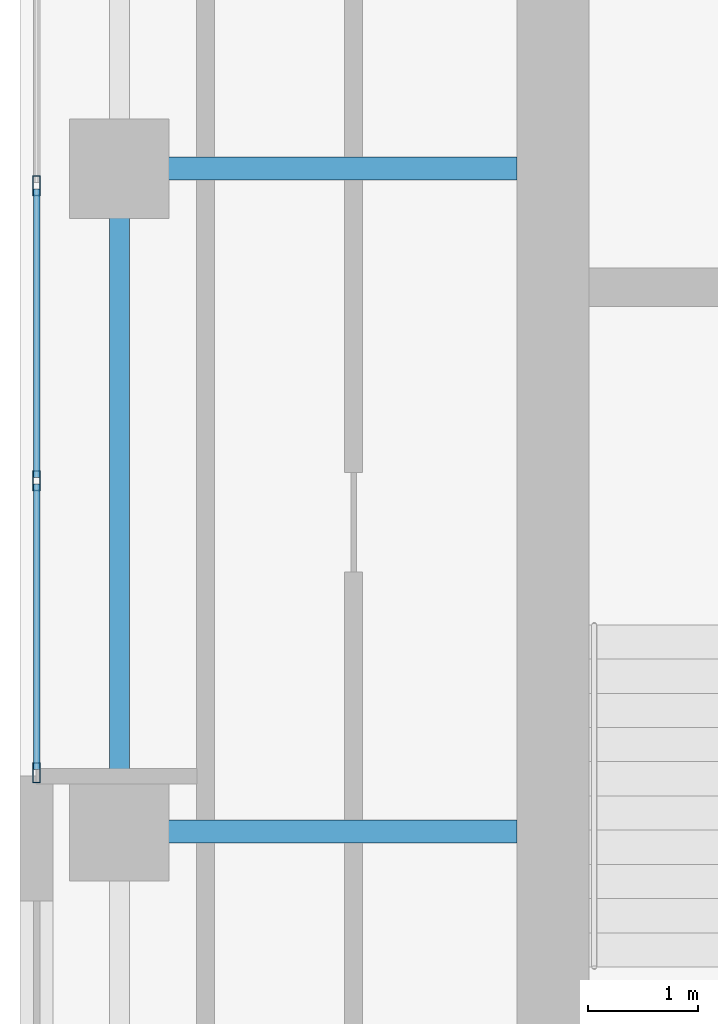
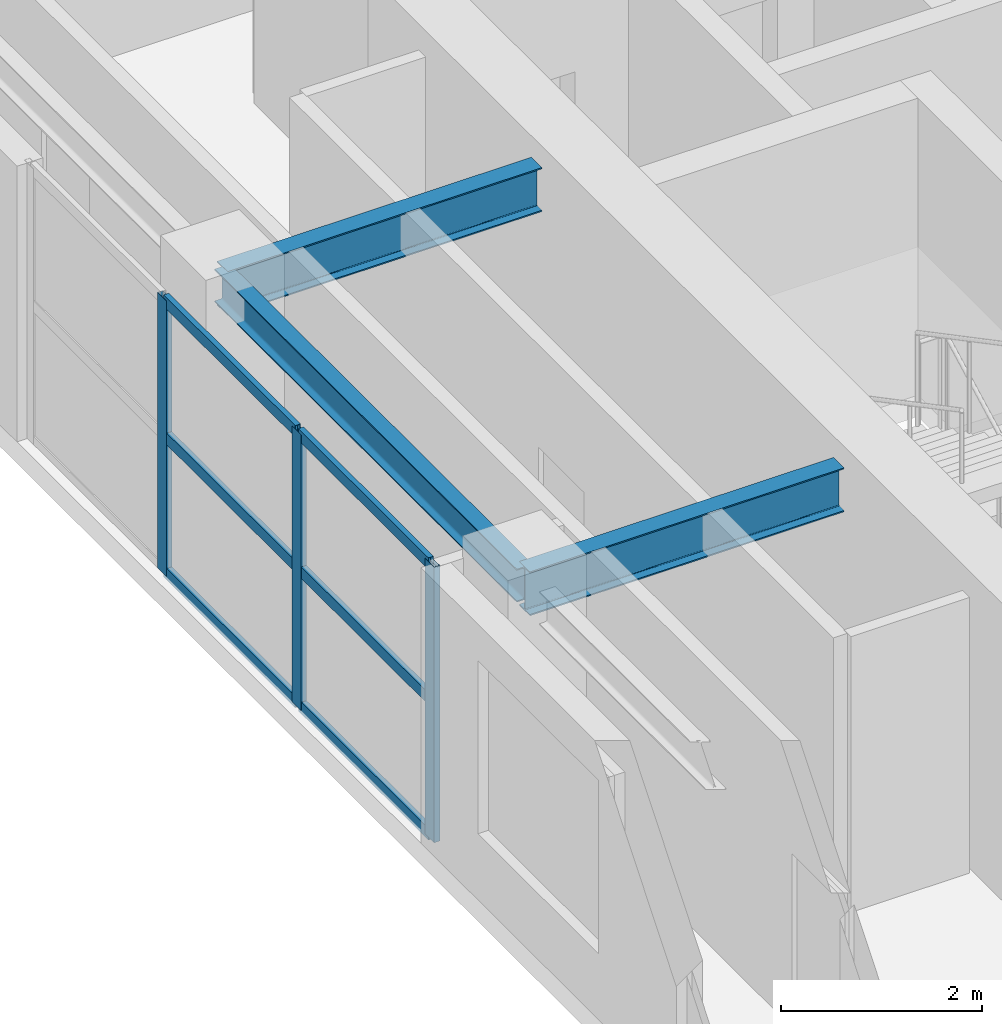
# One storey, part 5 of 22: 9 members, 3 beams, 1 element without a shape of its own.
"""IFC4 building model written with IfcOpenShell, lengths in metres."""

from ifc_helpers import new_model, si_unit, direction, frame, origin, origin_2d, place, context, subcontext, project, spatial, hollow_rectangle, i_section, extrude, source, transform, mapped, material, layer, layer_set, material_profile, profile_set, type_object, element, aggregate, save


model = new_model("IFC4")

# Units and contexts
model_context = context("Model", 3, precision=1e-05, world=origin(), true_north=direction((0.0, 1.0)))
body_context = subcontext(model_context, "Body", "Model", "MODEL_VIEW")
ifc_project = project(units=[si_unit("LENGTHUNIT", "METRE"), si_unit("AREAUNIT", "SQUARE_METRE"), si_unit("VOLUMEUNIT", "CUBIC_METRE"), si_unit("PLANEANGLEUNIT", "RADIAN"), si_unit("MASSUNIT", "GRAM", prefix="KILO")], contexts=[model_context])

# Site, building, storey
site_placement = place(None, origin())
site = spatial("IfcSite", under=ifc_project, at=site_placement, CompositionType="ELEMENT")
building_placement = place(site_placement, origin())
building = spatial("IfcBuilding", under=site, at=building_placement, Name="Khoralis Quay Care Tower", CompositionType="ELEMENT")
storey_placement = place(building_placement, frame((0.0, 0.0, 184.5)))
storey = spatial("IfcBuildingStorey", under=building, at=storey_placement, Name="L48", CompositionType="ELEMENT", Elevation=184.5)

# Beams
ifc_material_1 = material(Name="Steel S355", Category="steel")
ifc_material_profile_1 = material_profile(ifc_material_1, i_section(OverallWidth=0.179931640625, OverallDepth=0.39990234375, WebThickness=0.008544921875, FlangeThickness=0.013427734375, FilletRadius=0.02099609375, at=origin_2d()), Name="Steel S355")
ifc_profile_set_1 = profile_set([ifc_material_profile_1], Name="Steel S355")
beam_type_1 = type_object("IfcBeamType", Name="BM-IPE400", PredefinedType="SPANDREL", material=ifc_profile_set_1)
shared_shape_1 = source(origin(), body_context, "Body", "SweptSolid", [
    extrude(i_section(OverallWidth=0.179931640625, OverallDepth=0.39990234375, WebThickness=0.008544921875, FlangeThickness=0.013427734375, FilletRadius=0.02099609375, at=origin_2d()), origin(), (0.0, 0.0, 1.0), 6.0),
])
beam_placement = place(storey_placement, frame((3.89990234375, 18.0, 3.139892578125), z_axis=(0.0, 1.0, 0.0), x_axis=(-1.0, 0.0, 0.0)))
element("IfcBeam", 1, at=beam_placement, inside=storey, type_object=beam_type_1, Name="BM-TSP-L48-07", PredefinedType="SPANDREL", context=body_context, shape_type="MappedRepresentation", body=[
    mapped(shared_shape_1, transform((0.0, 0.0, 0.0), scale=1.0)),
])
ifc_material_profile_2 = material_profile(ifc_material_1, i_section(OverallWidth=0.208984375, OverallDepth=0.532958984375, WebThickness=0.01025390625, FlangeThickness=0.015625, FilletRadius=0.01611328125, at=origin_2d()), Name="Steel S355")
ifc_profile_set_2 = profile_set([ifc_material_profile_2], Name="Steel S355")
beam_type_2 = type_object("IfcBeamType", Name="BM-W530X92", PredefinedType="BEAM", material=ifc_profile_set_2)
shared_shape_2 = source(origin(), body_context, "Body", "SweptSolid", [
    extrude(i_section(OverallWidth=0.208984375, OverallDepth=0.532958984375, WebThickness=0.01025390625, FlangeThickness=0.015625, FilletRadius=0.01611328125, at=origin_2d()), origin(), (0.0, 0.0, 1.0), 3.60205078125),
])
for number, where, z_axis, x_axis, name in (
    (2, (3.89990234375, 18.0, 3.073486328125), (1.0, 0.0, 0.0), (0.0, 1.0, 0.0), "BM-TGXW-L48-180"),
    (3, (3.89990234375, 24.0, 3.073486328125), (1.0, 0.0, 0.0), (0.0, 1.0, 0.0), "BM-TGXW-L48-240"),
):
    element("IfcBeam", number, at=place(storey_placement, frame(where, z_axis=z_axis, x_axis=x_axis)), inside=storey, type_object=beam_type_2, Name=name, PredefinedType="BEAM", context=body_context, shape_type="MappedRepresentation", body=[
        mapped(shared_shape_2, transform((0.0, 0.0, 0.0), scale=1.0)),
    ])

# Curtain wall, members
ifc_material_2 = material(Name="Pale anodised aluminium", Category="aluminium")
ifc_layer = layer(ifc_material_2, 0.159912109375)
ifc_layer_set = layer_set([ifc_layer], Name="Pale anodised aluminium")
curtain_wall_type = type_object("IfcCurtainWallType", Name="CW-SYS-Z3", PredefinedType="NOTDEFINED", material=ifc_layer_set)
curtain_wall_placement = place(storey_placement, origin())
curtain_wall = element("IfcCurtainWall", 4, at=curtain_wall_placement, inside=storey, type_object=curtain_wall_type, Name="L48 Unitised Curtain Wall CW-L48-P1-E7", PredefinedType="NOTDEFINED")
ifc_material_profile_3 = material_profile(ifc_material_2, hollow_rectangle(XDim=0.06494140625, YDim=0.179931640625, WallThickness=0.00390625, at=origin_2d()), Name="Pale anodised aluminium")
ifc_profile_set_3 = profile_set([ifc_material_profile_3], Name="Pale anodised aluminium")
member_type_1 = type_object("IfcMemberType", Name="CW-MUL-180", PredefinedType="MULLION", material=ifc_profile_set_3)
shared_shape_3 = source(origin(), body_context, "Body", "SweptSolid", [
    extrude(hollow_rectangle(XDim=0.06494140625, YDim=0.179931640625, WallThickness=0.00390625, at=origin_2d()), origin(), (0.0, 0.0, 1.0), 3.340087890625),
])
member_1_placement = place(storey_placement, frame((3.14990234375, 23.8466796875, 0.0), z_axis=(0.0, 0.0, 1.0), x_axis=(1.0, 0.0, 0.0)))
member_1 = element("IfcMember", 5, at=member_1_placement, type_object=member_type_1, Name="CW3 mullion 2", PredefinedType="MULLION", context=body_context, shape_type="MappedRepresentation", body=[
    mapped(shared_shape_3, transform((0.0, 0.0, 0.0), scale=1.0)),
])
member_2_placement = place(storey_placement, frame((3.14990234375, 21.17333984375, 0.0), z_axis=(0.0, 0.0, 1.0), x_axis=(1.0, 0.0, 0.0)))
member_2 = element("IfcMember", 6, at=member_2_placement, type_object=member_type_1, Name="CW3 mullion 3", PredefinedType="MULLION", context=body_context, shape_type="MappedRepresentation", body=[
    mapped(shared_shape_3, transform((0.0, 0.0, 0.0), scale=1.0)),
])
member_3_placement = place(storey_placement, frame((3.14990234375, 18.530029296875, 0.0), z_axis=(0.0, 0.0, 1.0), x_axis=(1.0, 0.0, 0.0)))
member_3 = element("IfcMember", 7, at=member_3_placement, type_object=member_type_1, Name="CW3 mullion 4", PredefinedType="MULLION", context=body_context, shape_type="MappedRepresentation", body=[
    mapped(shared_shape_3, transform((0.0, 0.0, 0.0), scale=1.0)),
])
ifc_material_profile_4 = material_profile(ifc_material_2, hollow_rectangle(XDim=0.06005859375, YDim=0.139892578125, WallThickness=0.00390625, at=origin_2d()), Name="Pale anodised aluminium")
ifc_profile_set_4 = profile_set([ifc_material_profile_4], Name="Pale anodised aluminium")
member_type_2 = type_object("IfcMemberType", Name="CW-TRN-140", PredefinedType="USERDEFINED", material=ifc_profile_set_4)
shared_shape_4 = source(origin(), body_context, "Body", "SweptSolid", [
    extrude(hollow_rectangle(XDim=0.06005859375, YDim=0.139892578125, WallThickness=0.00390625, at=origin_2d()), origin(), (0.0, 0.0, 1.0), 2.583251953125),
])
member_4_placement = place(storey_placement, frame((3.14990234375, 21.143310546875, 0.030029296875), z_axis=(0.0, -1.0, 0.0), x_axis=(1.0, 0.0, 0.0)))
member_4 = element("IfcMember", 8, at=member_4_placement, type_object=member_type_2, Name="CW3 transom 3.1", ObjectType="TRANSOM", PredefinedType="USERDEFINED", context=body_context, shape_type="MappedRepresentation", body=[
    mapped(shared_shape_4, transform((0.0, 0.0, 0.0), scale=1.0)),
])
member_5_placement = place(storey_placement, frame((3.14990234375, 21.143310546875, 1.669921875), z_axis=(0.0, -1.0, 0.0), x_axis=(1.0, 0.0, 0.0)))
member_5 = element("IfcMember", 9, at=member_5_placement, type_object=member_type_2, Name="CW3 transom 3.2", ObjectType="TRANSOM", PredefinedType="USERDEFINED", context=body_context, shape_type="MappedRepresentation", body=[
    mapped(shared_shape_4, transform((0.0, 0.0, 0.0), scale=1.0)),
])
member_6_placement = place(storey_placement, frame((3.14990234375, 21.143310546875, 3.31005859375), z_axis=(0.0, -1.0, 0.0), x_axis=(1.0, 0.0, 0.0)))
member_6 = element("IfcMember", 10, at=member_6_placement, type_object=member_type_2, Name="CW3 transom 3.3", ObjectType="TRANSOM", PredefinedType="USERDEFINED", context=body_context, shape_type="MappedRepresentation", body=[
    mapped(shared_shape_4, transform((0.0, 0.0, 0.0), scale=1.0)),
])
shared_shape_5 = source(origin(), body_context, "Body", "SweptSolid", [
    extrude(hollow_rectangle(XDim=0.06005859375, YDim=0.139892578125, WallThickness=0.00390625, at=origin_2d()), origin(), (0.0, 0.0, 1.0), 2.61328125),
])
member_7_placement = place(storey_placement, frame((3.14990234375, 23.816650390625, 0.030029296875), z_axis=(0.0, -1.0, 0.0), x_axis=(1.0, 0.0, 0.0)))
member_7 = element("IfcMember", 11, at=member_7_placement, type_object=member_type_2, Name="CW3 transom 2.1", ObjectType="TRANSOM", PredefinedType="USERDEFINED", context=body_context, shape_type="MappedRepresentation", body=[
    mapped(shared_shape_5, transform((0.0, 0.0, 0.0), scale=1.0)),
])
member_8_placement = place(storey_placement, frame((3.14990234375, 23.816650390625, 1.669921875), z_axis=(0.0, -1.0, 0.0), x_axis=(1.0, 0.0, 0.0)))
member_8 = element("IfcMember", 12, at=member_8_placement, type_object=member_type_2, Name="CW3 transom 2.2", ObjectType="TRANSOM", PredefinedType="USERDEFINED", context=body_context, shape_type="MappedRepresentation", body=[
    mapped(shared_shape_5, transform((0.0, 0.0, 0.0), scale=1.0)),
])
member_9_placement = place(storey_placement, frame((3.14990234375, 23.816650390625, 3.31005859375), z_axis=(0.0, -1.0, 0.0), x_axis=(1.0, 0.0, 0.0)))
member_9 = element("IfcMember", 13, at=member_9_placement, type_object=member_type_2, Name="CW3 transom 2.3", ObjectType="TRANSOM", PredefinedType="USERDEFINED", context=body_context, shape_type="MappedRepresentation", body=[
    mapped(shared_shape_5, transform((0.0, 0.0, 0.0), scale=1.0)),
])
aggregate(curtain_wall, [member_1, member_2, member_3, member_7, member_8, member_9, member_4, member_5, member_6])

save(model, "model.ifc")
